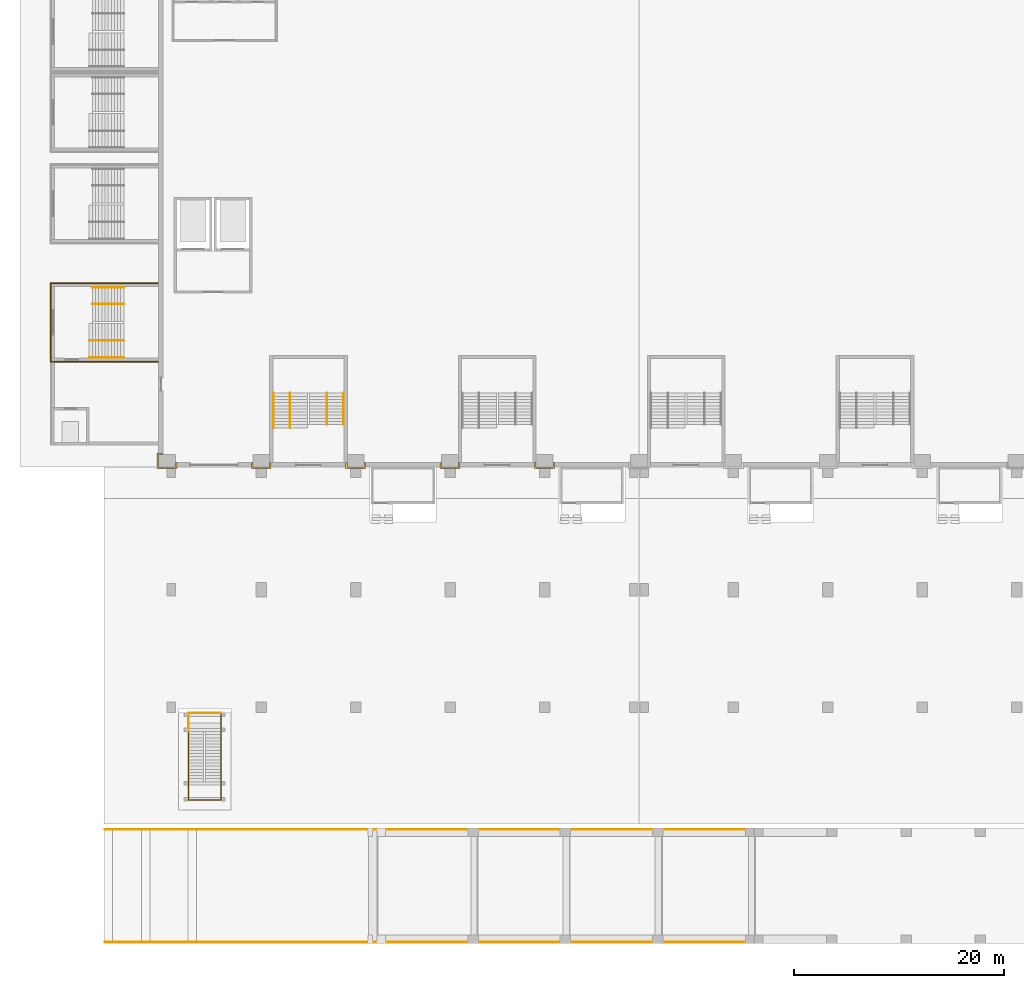
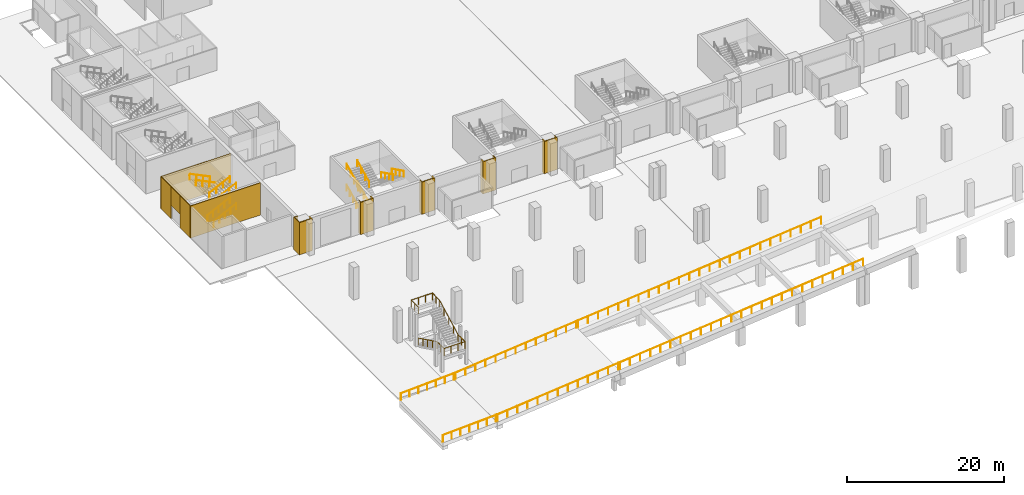
# One storey, part 64 of 77: 20 railings, 10 coverings.
"""IFC4 building model written with IfcOpenShell, lengths in metres."""

from ifc_helpers import new_model, si_unit, direction, frame, origin, origin_2d, place, context, subcontext, project, spatial, polyline, circle, outline, extrude, material, layer, layer_set, type_object, element, save


model = new_model("IFC4")

# Units and contexts
model_context = context("Model", 3, precision=1e-05, world=origin(), true_north=direction((0.0, 1.0)))
body_context = subcontext(model_context, "Body", "Model", "MODEL_VIEW")
ifc_project = project(units=[si_unit("LENGTHUNIT", "METRE"), si_unit("AREAUNIT", "SQUARE_METRE"), si_unit("VOLUMEUNIT", "CUBIC_METRE"), si_unit("PLANEANGLEUNIT", "RADIAN"), si_unit("MASSUNIT", "GRAM", prefix="KILO")], contexts=[model_context])

# Site, building, storey
site_placement = place(None, origin())
site = spatial("IfcSite", under=ifc_project, at=site_placement, CompositionType="ELEMENT")
building_placement = place(site_placement, origin())
building = spatial("IfcBuilding", under=site, at=building_placement, Name="Aravalli Gate Trade Fair Centre", CompositionType="ELEMENT")
storey_placement = place(building_placement, origin())
storey = spatial("IfcBuildingStorey", under=building, at=storey_placement, Name="L00", CompositionType="ELEMENT", Elevation=0.0)

# Railings
ifc_material_1 = material(Name="Steel E350", Category="steel")
railing_type_1 = type_object("IfcRailingType", Name="Edge guard 1100", PredefinedType="GUARDRAIL", material=ifc_material_1)
for number, where, name in (
    (1, (0.10009765625, 0.14990234375, 0.0048828125), "Ramp guard RA1-F1 S"),
    (2, (0.10009765625, 10.85009765625, 0.0048828125), "Ramp guard RA1-F1 N"),
):
    element("IfcRailing", number, at=place(storey_placement, frame(where)), inside=storey, type_object=railing_type_1, Name=name, PredefinedType="GUARDRAIL", context=body_context, shape_type="SweptSolid", body=[
        extrude(circle(Radius=0.02392578125, at=origin_2d()), frame((0.0, 0.0, 1.076171875), z_axis=(0.998751244396, 0.0, 0.049959501775), x_axis=(0.0, 1.0, 0.0)), (0.0, 0.0, 1.0), 7.78955078125),
        extrude(circle(Radius=0.02099609375, at=origin_2d()), origin(), (0.0, 0.0, 1.0), 1.052001953125),
        extrude(circle(Radius=0.02099609375, at=origin_2d()), frame((1.296630859375, 0.0, 0.06494140625)), (0.0, 0.0, 1.0), 1.052001953125),
        extrude(circle(Radius=0.02099609375, at=origin_2d()), frame((2.59326171875, 0.0, 0.129638671875)), (0.0, 0.0, 1.0), 1.052001953125),
        extrude(circle(Radius=0.02099609375, at=origin_2d()), frame((3.889892578125, 0.0, 0.194580078125)), (0.0, 0.0, 1.0), 1.052001953125),
        extrude(circle(Radius=0.02099609375, at=origin_2d()), frame((5.1865234375, 0.0, 0.259521484375)), (0.0, 0.0, 1.0), 1.052001953125),
        extrude(circle(Radius=0.02099609375, at=origin_2d()), frame((6.483154296875, 0.0, 0.32421875)), (0.0, 0.0, 1.0), 1.052001953125),
        extrude(circle(Radius=0.02099609375, at=origin_2d()), frame((7.77978515625, 0.0, 0.38916015625)), (0.0, 0.0, 1.0), 1.052001953125),
    ])
railing_1_placement = place(storey_placement, frame((8.1201171875, 0.14990234375, 0.412109375)))
element("IfcRailing", 3, at=railing_1_placement, inside=storey, type_object=railing_type_1, Name="Ramp guard RA1-F2.1 S", PredefinedType="GUARDRAIL", context=body_context, shape_type="SweptSolid", body=[
    extrude(circle(Radius=0.02392578125, at=origin_2d()), frame((0.0, 0.0, 1.076171875), z_axis=(0.995037731923, 0.0, 0.099498301743), x_axis=(0.0, 1.0, 0.0)), (0.0, 0.0, 1.0), 17.848388671875),
    extrude(circle(Radius=0.02099609375, at=origin_2d()), origin(), (0.0, 0.0, 1.0), 1.052001953125),
    extrude(circle(Radius=0.02099609375, at=origin_2d()), frame((1.47998046875, 0.0, 0.14794921875)), (0.0, 0.0, 1.0), 1.052001953125),
    extrude(circle(Radius=0.02099609375, at=origin_2d()), frame((2.9599609375, 0.0, 0.2958984375)), (0.0, 0.0, 1.0), 1.052001953125),
    extrude(circle(Radius=0.02099609375, at=origin_2d()), frame((4.43994140625, 0.0, 0.44384765625)), (0.0, 0.0, 1.0), 1.052001953125),
    extrude(circle(Radius=0.02099609375, at=origin_2d()), frame((5.919921875, 0.0, 0.592041015625)), (0.0, 0.0, 1.0), 1.052001953125),
    extrude(circle(Radius=0.02099609375, at=origin_2d()), frame((7.39990234375, 0.0, 0.739990234375)), (0.0, 0.0, 1.0), 1.052001953125),
    extrude(circle(Radius=0.02099609375, at=origin_2d()), frame((8.8798828125, 0.0, 0.887939453125)), (0.0, 0.0, 1.0), 1.052001953125),
    extrude(circle(Radius=0.02099609375, at=origin_2d()), frame((10.35986328125, 0.0, 1.035888671875)), (0.0, 0.0, 1.0), 1.052001953125),
    extrude(circle(Radius=0.02099609375, at=origin_2d()), frame((11.83984375, 0.0, 1.183837890625)), (0.0, 0.0, 1.0), 1.052001953125),
    extrude(circle(Radius=0.02099609375, at=origin_2d()), frame((13.31982421875, 0.0, 1.33203125)), (0.0, 0.0, 1.0), 1.052001953125),
    extrude(circle(Radius=0.02099609375, at=origin_2d()), frame((14.7998046875, 0.0, 1.47998046875)), (0.0, 0.0, 1.0), 1.052001953125),
    extrude(circle(Radius=0.02099609375, at=origin_2d()), frame((16.27978515625, 0.0, 1.6279296875)), (0.0, 0.0, 1.0), 1.052001953125),
    extrude(circle(Radius=0.02099609375, at=origin_2d()), frame((17.759765625, 0.0, 1.77587890625)), (0.0, 0.0, 1.0), 1.052001953125),
])
railing_2_placement = place(storey_placement, frame((8.1201171875, 10.85009765625, 0.412109375)))
element("IfcRailing", 4, at=railing_2_placement, inside=storey, type_object=railing_type_1, Name="Ramp guard RA1-F2.1 N", PredefinedType="GUARDRAIL", context=body_context, shape_type="SweptSolid", body=[
    extrude(circle(Radius=0.02392578125, at=origin_2d()), frame((0.0, 0.0, 1.076171875), z_axis=(0.995037731923, 0.0, 0.099498301743), x_axis=(0.0, 1.0, 0.0)), (0.0, 0.0, 1.0), 17.848388671875),
    extrude(circle(Radius=0.02099609375, at=origin_2d()), origin(), (0.0, 0.0, 1.0), 1.052001953125),
    extrude(circle(Radius=0.02099609375, at=origin_2d()), frame((1.47998046875, 0.0, 0.14794921875)), (0.0, 0.0, 1.0), 1.052001953125),
    extrude(circle(Radius=0.02099609375, at=origin_2d()), frame((2.9599609375, 0.0, 0.2958984375)), (0.0, 0.0, 1.0), 1.052001953125),
    extrude(circle(Radius=0.02099609375, at=origin_2d()), frame((4.43994140625, 0.0, 0.44384765625)), (0.0, 0.0, 1.0), 1.052001953125),
    extrude(circle(Radius=0.02099609375, at=origin_2d()), frame((5.919921875, 0.0, 0.592041015625)), (0.0, 0.0, 1.0), 1.052001953125),
    extrude(circle(Radius=0.02099609375, at=origin_2d()), frame((7.39990234375, 0.0, 0.739990234375)), (0.0, 0.0, 1.0), 1.052001953125),
    extrude(circle(Radius=0.02099609375, at=origin_2d()), frame((8.8798828125, 0.0, 0.887939453125)), (0.0, 0.0, 1.0), 1.052001953125),
    extrude(circle(Radius=0.02099609375, at=origin_2d()), frame((10.35986328125, 0.0, 1.035888671875)), (0.0, 0.0, 1.0), 1.052001953125),
    extrude(circle(Radius=0.02099609375, at=origin_2d()), frame((11.83984375, 0.0, 1.183837890625)), (0.0, 0.0, 1.0), 1.052001953125),
    extrude(circle(Radius=0.02099609375, at=origin_2d()), frame((13.31982421875, 0.0, 1.33203125)), (0.0, 0.0, 1.0), 1.052001953125),
    extrude(circle(Radius=0.02099609375, at=origin_2d()), frame((14.7998046875, 0.0, 1.47998046875)), (0.0, 0.0, 1.0), 1.052001953125),
    extrude(circle(Radius=0.02099609375, at=origin_2d()), frame((16.27978515625, 0.0, 1.6279296875)), (0.0, 0.0, 1.0), 1.052001953125),
    extrude(circle(Radius=0.02099609375, at=origin_2d()), frame((17.759765625, 0.0, 1.77587890625)), (0.0, 0.0, 1.0), 1.052001953125),
])
railing_3_placement = place(storey_placement, frame((26.1201171875, 0.14990234375, 2.2119140625)))
element("IfcRailing", 5, at=railing_3_placement, inside=storey, type_object=railing_type_1, Name="Ramp guard RA1-F2.2 S", PredefinedType="GUARDRAIL", context=body_context, shape_type="SweptSolid", body=[
    extrude(circle(Radius=0.02392578125, at=origin_2d()), frame((0.0, 0.0, 1.076171875), z_axis=(0.995036652108, 0.0, 0.099509099897), x_axis=(0.0, 1.0, 0.0)), (0.0, 0.0, 1.0), 35.938232421875),
    extrude(circle(Radius=0.02099609375, at=origin_2d()), origin(), (0.0, 0.0, 1.0), 1.052001953125),
    extrude(circle(Radius=0.02099609375, at=origin_2d()), frame((1.489990234375, 0.0, 0.14892578125)), (0.0, 0.0, 1.0), 1.052001953125),
    extrude(circle(Radius=0.02099609375, at=origin_2d()), frame((2.97998046875, 0.0, 0.298095703125)), (0.0, 0.0, 1.0), 1.052001953125),
    extrude(circle(Radius=0.02099609375, at=origin_2d()), frame((4.469970703125, 0.0, 0.447021484375)), (0.0, 0.0, 1.0), 1.052001953125),
    extrude(circle(Radius=0.02099609375, at=origin_2d()), frame((5.9599609375, 0.0, 0.595947265625)), (0.0, 0.0, 1.0), 1.052001953125),
    extrude(circle(Radius=0.02099609375, at=origin_2d()), frame((7.449951171875, 0.0, 0.7451171875)), (0.0, 0.0, 1.0), 1.052001953125),
    extrude(circle(Radius=0.02099609375, at=origin_2d()), frame((8.93994140625, 0.0, 0.89404296875)), (0.0, 0.0, 1.0), 1.052001953125),
    extrude(circle(Radius=0.02099609375, at=origin_2d()), frame((10.429931640625, 0.0, 1.04296875)), (0.0, 0.0, 1.0), 1.052001953125),
    extrude(circle(Radius=0.02099609375, at=origin_2d()), frame((11.919921875, 0.0, 1.192138671875)), (0.0, 0.0, 1.0), 1.052001953125),
    extrude(circle(Radius=0.02099609375, at=origin_2d()), frame((13.409912109375, 0.0, 1.341064453125)), (0.0, 0.0, 1.0), 1.052001953125),
    extrude(circle(Radius=0.02099609375, at=origin_2d()), frame((14.89990234375, 0.0, 1.489990234375)), (0.0, 0.0, 1.0), 1.052001953125),
    extrude(circle(Radius=0.02099609375, at=origin_2d()), frame((16.389892578125, 0.0, 1.63916015625)), (0.0, 0.0, 1.0), 1.052001953125),
    extrude(circle(Radius=0.02099609375, at=origin_2d()), frame((17.8798828125, 0.0, 1.7880859375)), (0.0, 0.0, 1.0), 1.052001953125),
    extrude(circle(Radius=0.02099609375, at=origin_2d()), frame((19.369873046875, 0.0, 1.93701171875)), (0.0, 0.0, 1.0), 1.052001953125),
    extrude(circle(Radius=0.02099609375, at=origin_2d()), frame((20.85986328125, 0.0, 2.086181640625)), (0.0, 0.0, 1.0), 1.052001953125),
    extrude(circle(Radius=0.02099609375, at=origin_2d()), frame((22.349853515625, 0.0, 2.235107421875)), (0.0, 0.0, 1.0), 1.052001953125),
    extrude(circle(Radius=0.02099609375, at=origin_2d()), frame((23.83984375, 0.0, 2.384033203125)), (0.0, 0.0, 1.0), 1.052001953125),
    extrude(circle(Radius=0.02099609375, at=origin_2d()), frame((25.329833984375, 0.0, 2.533203125)), (0.0, 0.0, 1.0), 1.052001953125),
    extrude(circle(Radius=0.02099609375, at=origin_2d()), frame((26.81982421875, 0.0, 2.68212890625)), (0.0, 0.0, 1.0), 1.052001953125),
    extrude(circle(Radius=0.02099609375, at=origin_2d()), frame((28.309814453125, 0.0, 2.8310546875)), (0.0, 0.0, 1.0), 1.052001953125),
    extrude(circle(Radius=0.02099609375, at=origin_2d()), frame((29.7998046875, 0.0, 2.980224609375)), (0.0, 0.0, 1.0), 1.052001953125),
    extrude(circle(Radius=0.02099609375, at=origin_2d()), frame((31.289794921875, 0.0, 3.129150390625)), (0.0, 0.0, 1.0), 1.052001953125),
    extrude(circle(Radius=0.02099609375, at=origin_2d()), frame((32.77978515625, 0.0, 3.278076171875)), (0.0, 0.0, 1.0), 1.052001953125),
    extrude(circle(Radius=0.02099609375, at=origin_2d()), frame((34.269775390625, 0.0, 3.42724609375)), (0.0, 0.0, 1.0), 1.052001953125),
    extrude(circle(Radius=0.02099609375, at=origin_2d()), frame((35.759765625, 0.0, 3.576171875)), (0.0, 0.0, 1.0), 1.052001953125),
])
railing_4_placement = place(storey_placement, frame((26.1201171875, 10.85009765625, 2.2119140625)))
element("IfcRailing", 6, at=railing_4_placement, inside=storey, type_object=railing_type_1, Name="Ramp guard RA1-F2.2 N", PredefinedType="GUARDRAIL", context=body_context, shape_type="SweptSolid", body=[
    extrude(circle(Radius=0.02392578125, at=origin_2d()), frame((0.0, 0.0, 1.076171875), z_axis=(0.995036652108, 0.0, 0.099509099897), x_axis=(0.0, 1.0, 0.0)), (0.0, 0.0, 1.0), 35.938232421875),
    extrude(circle(Radius=0.02099609375, at=origin_2d()), origin(), (0.0, 0.0, 1.0), 1.052001953125),
    extrude(circle(Radius=0.02099609375, at=origin_2d()), frame((1.489990234375, 0.0, 0.14892578125)), (0.0, 0.0, 1.0), 1.052001953125),
    extrude(circle(Radius=0.02099609375, at=origin_2d()), frame((2.97998046875, 0.0, 0.298095703125)), (0.0, 0.0, 1.0), 1.052001953125),
    extrude(circle(Radius=0.02099609375, at=origin_2d()), frame((4.469970703125, 0.0, 0.447021484375)), (0.0, 0.0, 1.0), 1.052001953125),
    extrude(circle(Radius=0.02099609375, at=origin_2d()), frame((5.9599609375, 0.0, 0.595947265625)), (0.0, 0.0, 1.0), 1.052001953125),
    extrude(circle(Radius=0.02099609375, at=origin_2d()), frame((7.449951171875, 0.0, 0.7451171875)), (0.0, 0.0, 1.0), 1.052001953125),
    extrude(circle(Radius=0.02099609375, at=origin_2d()), frame((8.93994140625, 0.0, 0.89404296875)), (0.0, 0.0, 1.0), 1.052001953125),
    extrude(circle(Radius=0.02099609375, at=origin_2d()), frame((10.429931640625, 0.0, 1.04296875)), (0.0, 0.0, 1.0), 1.052001953125),
    extrude(circle(Radius=0.02099609375, at=origin_2d()), frame((11.919921875, 0.0, 1.192138671875)), (0.0, 0.0, 1.0), 1.052001953125),
    extrude(circle(Radius=0.02099609375, at=origin_2d()), frame((13.409912109375, 0.0, 1.341064453125)), (0.0, 0.0, 1.0), 1.052001953125),
    extrude(circle(Radius=0.02099609375, at=origin_2d()), frame((14.89990234375, 0.0, 1.489990234375)), (0.0, 0.0, 1.0), 1.052001953125),
    extrude(circle(Radius=0.02099609375, at=origin_2d()), frame((16.389892578125, 0.0, 1.63916015625)), (0.0, 0.0, 1.0), 1.052001953125),
    extrude(circle(Radius=0.02099609375, at=origin_2d()), frame((17.8798828125, 0.0, 1.7880859375)), (0.0, 0.0, 1.0), 1.052001953125),
    extrude(circle(Radius=0.02099609375, at=origin_2d()), frame((19.369873046875, 0.0, 1.93701171875)), (0.0, 0.0, 1.0), 1.052001953125),
    extrude(circle(Radius=0.02099609375, at=origin_2d()), frame((20.85986328125, 0.0, 2.086181640625)), (0.0, 0.0, 1.0), 1.052001953125),
    extrude(circle(Radius=0.02099609375, at=origin_2d()), frame((22.349853515625, 0.0, 2.235107421875)), (0.0, 0.0, 1.0), 1.052001953125),
    extrude(circle(Radius=0.02099609375, at=origin_2d()), frame((23.83984375, 0.0, 2.384033203125)), (0.0, 0.0, 1.0), 1.052001953125),
    extrude(circle(Radius=0.02099609375, at=origin_2d()), frame((25.329833984375, 0.0, 2.533203125)), (0.0, 0.0, 1.0), 1.052001953125),
    extrude(circle(Radius=0.02099609375, at=origin_2d()), frame((26.81982421875, 0.0, 2.68212890625)), (0.0, 0.0, 1.0), 1.052001953125),
    extrude(circle(Radius=0.02099609375, at=origin_2d()), frame((28.309814453125, 0.0, 2.8310546875)), (0.0, 0.0, 1.0), 1.052001953125),
    extrude(circle(Radius=0.02099609375, at=origin_2d()), frame((29.7998046875, 0.0, 2.980224609375)), (0.0, 0.0, 1.0), 1.052001953125),
    extrude(circle(Radius=0.02099609375, at=origin_2d()), frame((31.289794921875, 0.0, 3.129150390625)), (0.0, 0.0, 1.0), 1.052001953125),
    extrude(circle(Radius=0.02099609375, at=origin_2d()), frame((32.77978515625, 0.0, 3.278076171875)), (0.0, 0.0, 1.0), 1.052001953125),
    extrude(circle(Radius=0.02099609375, at=origin_2d()), frame((34.269775390625, 0.0, 3.42724609375)), (0.0, 0.0, 1.0), 1.052001953125),
    extrude(circle(Radius=0.02099609375, at=origin_2d()), frame((35.759765625, 0.0, 3.576171875)), (0.0, 0.0, 1.0), 1.052001953125),
])
railing_5_placement = place(storey_placement, frame((8.050048828125, 20.199951171875, 0.147216796875)))
element("IfcRailing", 7, at=railing_5_placement, inside=storey, type_object=railing_type_1, Name="Stair guard 1 L00 A", PredefinedType="GUARDRAIL", context=body_context, shape_type="SweptSolid", body=[
    extrude(circle(Radius=0.02392578125, at=origin_2d()), frame((0.0, 0.0, 1.076171875), z_axis=(0.0, -0.89793417156, 0.440129780343), x_axis=(1.0, 0.0, 0.0)), (0.0, 0.0, 1.0), 5.345703125),
    extrude(circle(Radius=0.02392578125, at=origin_2d()), frame((0.0, -4.800048828125, 3.4287109375), z_axis=(0.0, -1.0, 0.0), x_axis=(1.0, 0.0, 0.0)), (0.0, 0.0, 1.0), 1.75),
    extrude(circle(Radius=0.02392578125, at=origin_2d()), frame((0.0, -6.550048828125, 3.4287109375), z_axis=(1.0, 0.0, 0.0), x_axis=(0.0, 1.0, 0.0)), (0.0, 0.0, 1.0), 3.099853515625),
    extrude(circle(Radius=0.02392578125, at=origin_2d()), frame((3.099853515625, -6.550048828125, 3.4287109375), z_axis=(0.0, 1.0, 0.0), x_axis=(-1.0, 0.0, 0.0)), (0.0, 0.0, 1.0), 1.75),
    extrude(circle(Radius=0.02392578125, at=origin_2d()), frame((3.099853515625, -4.800048828125, 3.4287109375), z_axis=(0.0, 0.886916009322, 0.46193072252), x_axis=(-1.0, 0.0, 0.0)), (0.0, 0.0, 1.0), 5.412109375),
    extrude(circle(Radius=0.02392578125, at=origin_2d()), frame((3.099853515625, 0.0, 5.9287109375), z_axis=(0.0, 1.0, 0.0), x_axis=(-1.0, 0.0, 0.0)), (0.0, 0.0, 1.0), 1.75),
    extrude(circle(Radius=0.02099609375, at=origin_2d()), origin(), (0.0, 0.0, 1.0), 1.052001953125),
    extrude(circle(Radius=0.02099609375, at=origin_2d()), frame((0.0, -1.199951171875, 0.588134765625)), (0.0, 0.0, 1.0), 1.052001953125),
    extrude(circle(Radius=0.02099609375, at=origin_2d()), frame((0.0, -2.39990234375, 1.17626953125)), (0.0, 0.0, 1.0), 1.052001953125),
    extrude(circle(Radius=0.02099609375, at=origin_2d()), frame((0.0, -3.60009765625, 1.7646484375)), (0.0, 0.0, 1.0), 1.052001953125),
    extrude(circle(Radius=0.02099609375, at=origin_2d()), frame((0.0, -4.800048828125, 2.352783203125)), (0.0, 0.0, 1.0), 1.052001953125),
    extrude(circle(Radius=0.02099609375, at=origin_2d()), frame((0.0, -5.675048828125, 2.352783203125)), (0.0, 0.0, 1.0), 1.052001953125),
    extrude(circle(Radius=0.02099609375, at=origin_2d()), frame((0.0, -6.550048828125, 2.352783203125)), (0.0, 0.0, 1.0), 1.052001953125),
    extrude(circle(Radius=0.02099609375, at=origin_2d()), frame((1.033203125, -6.550048828125, 2.352783203125)), (0.0, 0.0, 1.0), 1.052001953125),
    extrude(circle(Radius=0.02099609375, at=origin_2d()), frame((2.066650390625, -6.550048828125, 2.352783203125)), (0.0, 0.0, 1.0), 1.052001953125),
    extrude(circle(Radius=0.02099609375, at=origin_2d()), frame((3.099853515625, -6.550048828125, 2.352783203125)), (0.0, 0.0, 1.0), 1.052001953125),
    extrude(circle(Radius=0.02099609375, at=origin_2d()), frame((3.099853515625, -5.675048828125, 2.352783203125)), (0.0, 0.0, 1.0), 1.052001953125),
    extrude(circle(Radius=0.02099609375, at=origin_2d()), frame((3.099853515625, -4.800048828125, 2.352783203125)), (0.0, 0.0, 1.0), 1.052001953125),
    extrude(circle(Radius=0.02099609375, at=origin_2d()), frame((3.099853515625, -3.60009765625, 2.977783203125)), (0.0, 0.0, 1.0), 1.052001953125),
    extrude(circle(Radius=0.02099609375, at=origin_2d()), frame((3.099853515625, -2.39990234375, 3.602783203125)), (0.0, 0.0, 1.0), 1.052001953125),
    extrude(circle(Radius=0.02099609375, at=origin_2d()), frame((3.099853515625, -1.199951171875, 4.227783203125)), (0.0, 0.0, 1.0), 1.052001953125),
    extrude(circle(Radius=0.02099609375, at=origin_2d()), frame((3.099853515625, 0.0, 4.852783203125)), (0.0, 0.0, 1.0), 1.052001953125),
    extrude(circle(Radius=0.02099609375, at=origin_2d()), frame((3.099853515625, 0.875, 4.852783203125)), (0.0, 0.0, 1.0), 1.052001953125),
    extrude(circle(Radius=0.02099609375, at=origin_2d()), frame((3.099853515625, 1.75, 4.852783203125)), (0.0, 0.0, 1.0), 1.052001953125),
])
railing_6_placement = place(storey_placement, frame((8.050048828125, 20.199951171875, 5.0)))
element("IfcRailing", 8, at=railing_6_placement, inside=storey, type_object=railing_type_1, Name="Stair guard 1 L00 B", PredefinedType="GUARDRAIL", context=body_context, shape_type="SweptSolid", body=[
    extrude(circle(Radius=0.02392578125, at=origin_2d()), frame((0.0, 0.0, 1.076171875), z_axis=(0.0, 1.0, 0.0), x_axis=(-1.0, 0.0, 0.0)), (0.0, 0.0, 1.0), 1.75),
    extrude(circle(Radius=0.02392578125, at=origin_2d()), frame((0.0, 1.75, 1.076171875), z_axis=(1.0, 0.0, 0.0), x_axis=(0.0, 1.0, 0.0)), (0.0, 0.0, 1.0), 3.099853515625),
    extrude(circle(Radius=0.02099609375, at=origin_2d()), origin(), (0.0, 0.0, 1.0), 1.052001953125),
    extrude(circle(Radius=0.02099609375, at=origin_2d()), frame((0.0, 0.875, 0.0)), (0.0, 0.0, 1.0), 1.052001953125),
    extrude(circle(Radius=0.02099609375, at=origin_2d()), frame((0.0, 1.75, 0.0)), (0.0, 0.0, 1.0), 1.052001953125),
    extrude(circle(Radius=0.02099609375, at=origin_2d()), frame((1.033203125, 1.75, 0.0)), (0.0, 0.0, 1.0), 1.052001953125),
    extrude(circle(Radius=0.02099609375, at=origin_2d()), frame((2.066650390625, 1.75, 0.0)), (0.0, 0.0, 1.0), 1.052001953125),
    extrude(circle(Radius=0.02099609375, at=origin_2d()), frame((3.099853515625, 1.75, 0.0)), (0.0, 0.0, 1.0), 1.052001953125),
])

# Coverings
ifc_material_2 = material(Name="Terracotta", Category="masonry")
ifc_layer_1 = layer(ifc_material_2, 0.10009765625)
ifc_layer_set_1 = layer_set([ifc_layer_1], Name="Terracotta")
covering_type_1 = type_object("IfcCoveringType", Name="End tower cladding 100", PredefinedType="CLADDING", material=ifc_layer_set_1)
covering_1_placement = place(storey_placement, origin())
element("IfcCovering", 9, at=covering_1_placement, inside=storey, type_object=covering_type_1, Name="End tower W1 cladding L00 side A", PredefinedType="CLADDING", context=body_context, shape_type="SweptSolid", body=[
    extrude(outline(polyline([(5.199951171875, 55.39990234375), (-5.10009765625, 55.39990234375), (-5.10009765625, 55.5), (5.199951171875, 55.5), (5.199951171875, 55.39990234375)])), origin(), (0.0, 0.0, 1.0), 5.0),
])
covering_2_placement = place(storey_placement, origin())
element("IfcCovering", 10, at=covering_2_placement, inside=storey, type_object=covering_type_1, Name="End tower W1 cladding L00 side B", PredefinedType="CLADDING", context=body_context, shape_type="SweptSolid", body=[
    extrude(outline(polyline([(5.199951171875, 62.89990234375), (-5.10009765625, 62.89990234375), (-5.10009765625, 63.0), (5.199951171875, 63.0), (5.199951171875, 62.89990234375)])), origin(), (0.0, 0.0, 1.0), 5.0),
])
covering_3_placement = place(storey_placement, origin())
element("IfcCovering", 11, at=covering_3_placement, inside=storey, type_object=covering_type_1, Name="End tower W1 cladding L00 far left", PredefinedType="CLADDING", context=body_context, shape_type="SweptSolid", body=[
    extrude(outline(polyline([(-5.0, 55.5), (-5.10009765625, 55.5), (-5.10009765625, 58.02490234375), (-5.0, 58.02490234375), (-5.0, 55.5)])), origin(), (0.0, 0.0, 1.0), 5.0),
])
covering_4_placement = place(storey_placement, origin())
element("IfcCovering", 12, at=covering_4_placement, inside=storey, type_object=covering_type_1, Name="End tower W1 cladding L00 far right", PredefinedType="CLADDING", context=body_context, shape_type="SweptSolid", body=[
    extrude(outline(polyline([(-5.0, 60.375), (-5.10009765625, 60.375), (-5.10009765625, 62.89990234375), (-5.0, 62.89990234375), (-5.0, 60.375)])), origin(), (0.0, 0.0, 1.0), 5.0),
])
covering_5_placement = place(storey_placement, frame((0.0, 0.0, 2.10009765625)))
element("IfcCovering", 13, at=covering_5_placement, inside=storey, type_object=covering_type_1, Name="End tower W1 cladding L00 above the door", PredefinedType="CLADDING", context=body_context, shape_type="SweptSolid", body=[
    extrude(outline(polyline([(-5.0, 58.02490234375), (-5.10009765625, 58.02490234375), (-5.10009765625, 60.375), (-5.0, 60.375), (-5.0, 58.02490234375)])), origin(), (0.0, 0.0, 1.0), 2.89990234375),
])

# Railings
railing_type_2 = type_object("IfcRailingType", Name="Stair handrail 900", PredefinedType="HANDRAIL", material=ifc_material_1)
for number, where, name in (
    (14, (16.169921875, 49.14990234375, 0.147216796875), "Handrail S02 L00 1"),
    (15, (17.75, 49.14990234375, 0.147216796875), "Handrail centre S02 L00 2"),
):
    element("IfcRailing", number, at=place(storey_placement, frame(where)), inside=storey, type_object=railing_type_2, Name=name, PredefinedType="HANDRAIL", context=body_context, shape_type="SweptSolid", body=[
        extrude(circle(Radius=0.02392578125, at=origin_2d()), frame((0.0, 0.0, 0.8759765625), z_axis=(0.0, 0.897946461621, 0.440104705795), x_axis=(-1.0, 0.0, 0.0)), (0.0, 0.0, 1.0), 3.675048828125),
        extrude(circle(Radius=0.02099609375, at=origin_2d()), origin(), (0.0, 0.0, 1.0), 0.851806640625),
        extrude(circle(Radius=0.02099609375, at=origin_2d()), frame((0.0, 0.824951171875, 0.404296875)), (0.0, 0.0, 1.0), 0.851806640625),
        extrude(circle(Radius=0.02099609375, at=origin_2d()), frame((0.0, 1.64990234375, 0.80859375)), (0.0, 0.0, 1.0), 0.851806640625),
        extrude(circle(Radius=0.02099609375, at=origin_2d()), frame((0.0, 2.47509765625, 1.213134765625)), (0.0, 0.0, 1.0), 0.851806640625),
        extrude(circle(Radius=0.02099609375, at=origin_2d()), frame((0.0, 3.300048828125, 1.617431640625)), (0.0, 0.0, 1.0), 0.851806640625),
    ])
for number, where, name in (
    (16, (22.830078125, 52.449951171875, 1.911865234375), "Handrail S02 L00 3"),
    (17, (21.25, 52.449951171875, 1.911865234375), "Handrail centre S02 L00 4"),
):
    element("IfcRailing", number, at=place(storey_placement, frame(where)), inside=storey, type_object=railing_type_2, Name=name, PredefinedType="HANDRAIL", context=body_context, shape_type="SweptSolid", body=[
        extrude(circle(Radius=0.02392578125, at=origin_2d()), frame((0.0, 0.0, 0.8759765625), z_axis=(0.0, -0.897936012048, 0.440126025437), x_axis=(1.0, 0.0, 0.0)), (0.0, 0.0, 1.0), 3.341064453125),
        extrude(circle(Radius=0.02099609375, at=origin_2d()), origin(), (0.0, 0.0, 1.0), 0.851806640625),
        extrude(circle(Radius=0.02099609375, at=origin_2d()), frame((0.0, -1.0, 0.490234375)), (0.0, 0.0, 1.0), 0.851806640625),
        extrude(circle(Radius=0.02099609375, at=origin_2d()), frame((0.0, -2.0, 0.980224609375)), (0.0, 0.0, 1.0), 0.851806640625),
        extrude(circle(Radius=0.02099609375, at=origin_2d()), frame((0.0, -3.0, 1.470458984375)), (0.0, 0.0, 1.0), 0.851806640625),
    ])
for number, where, name in (
    (18, (16.169921875, 49.449951171875, 3.529296875), "Handrail S02 L00 5"),
    (19, (17.75, 49.449951171875, 3.529296875), "Handrail centre S02 L00 6"),
):
    element("IfcRailing", number, at=place(storey_placement, frame(where)), inside=storey, type_object=railing_type_2, Name=name, PredefinedType="HANDRAIL", context=body_context, shape_type="SweptSolid", body=[
        extrude(circle(Radius=0.02392578125, at=origin_2d()), frame((0.0, 0.0, 0.8759765625), z_axis=(0.0, 0.897907131747, 0.44018494154), x_axis=(-1.0, 0.0, 0.0)), (0.0, 0.0, 1.0), 3.341064453125),
        extrude(circle(Radius=0.02099609375, at=origin_2d()), origin(), (0.0, 0.0, 1.0), 0.851806640625),
        extrude(circle(Radius=0.02099609375, at=origin_2d()), frame((0.0, 1.0, 0.490234375)), (0.0, 0.0, 1.0), 0.851806640625),
        extrude(circle(Radius=0.02099609375, at=origin_2d()), frame((0.0, 2.0, 0.98046875)), (0.0, 0.0, 1.0), 0.851806640625),
        extrude(circle(Radius=0.02099609375, at=origin_2d()), frame((0.0, 3.0, 1.470703125)), (0.0, 0.0, 1.0), 0.851806640625),
    ])
for number, where, name in (
    (20, (-1.39990234375, 55.8701171875, 0.147216796875), "Handrail W1 L00 1"),
    (21, (-1.39990234375, 57.449951171875, 0.147216796875), "Handrail centre W1 L00 2"),
):
    element("IfcRailing", number, at=place(storey_placement, frame(where)), inside=storey, type_object=railing_type_2, Name=name, PredefinedType="HANDRAIL", context=body_context, shape_type="SweptSolid", body=[
        extrude(circle(Radius=0.02392578125, at=origin_2d()), frame((0.0, 0.0, 0.8759765625), z_axis=(0.897933593325, 0.0, 0.440130960031), x_axis=(0.0, 1.0, 0.0)), (0.0, 0.0, 1.0), 3.6748046875),
        extrude(circle(Radius=0.02099609375, at=origin_2d()), origin(), (0.0, 0.0, 1.0), 0.851806640625),
        extrude(circle(Radius=0.02099609375, at=origin_2d()), frame((0.824951171875, 0.0, 0.404296875)), (0.0, 0.0, 1.0), 0.851806640625),
        extrude(circle(Radius=0.02099609375, at=origin_2d()), frame((1.64990234375, 0.0, 0.80859375)), (0.0, 0.0, 1.0), 0.851806640625),
        extrude(circle(Radius=0.02099609375, at=origin_2d()), frame((2.474853515625, 0.0, 1.213134765625)), (0.0, 0.0, 1.0), 0.851806640625),
        extrude(circle(Radius=0.02099609375, at=origin_2d()), frame((3.2998046875, 0.0, 1.617431640625)), (0.0, 0.0, 1.0), 0.851806640625),
    ])
for number, where, name in (
    (22, (1.89990234375, 62.530029296875, 1.911865234375), "Handrail W1 L00 3"),
    (23, (1.89990234375, 60.949951171875, 1.911865234375), "Handrail centre W1 L00 4"),
):
    element("IfcRailing", number, at=place(storey_placement, frame(where)), inside=storey, type_object=railing_type_2, Name=name, PredefinedType="HANDRAIL", context=body_context, shape_type="SweptSolid", body=[
        extrude(circle(Radius=0.02392578125, at=origin_2d()), frame((0.0, 0.0, 0.8759765625), z_axis=(-0.897936012048, 0.0, 0.440126025437), x_axis=(0.0, -1.0, 0.0)), (0.0, 0.0, 1.0), 3.341064453125),
        extrude(circle(Radius=0.02099609375, at=origin_2d()), origin(), (0.0, 0.0, 1.0), 0.851806640625),
        extrude(circle(Radius=0.02099609375, at=origin_2d()), frame((-1.0, 0.0, 0.490234375)), (0.0, 0.0, 1.0), 0.851806640625),
        extrude(circle(Radius=0.02099609375, at=origin_2d()), frame((-2.0, 0.0, 0.980224609375)), (0.0, 0.0, 1.0), 0.851806640625),
        extrude(circle(Radius=0.02099609375, at=origin_2d()), frame((-3.0, 0.0, 1.470458984375)), (0.0, 0.0, 1.0), 0.851806640625),
    ])
for number, where, name in (
    (24, (-1.10009765625, 55.8701171875, 3.529296875), "Handrail W1 L00 5"),
    (25, (-1.10009765625, 57.449951171875, 3.529296875), "Handrail centre W1 L00 6"),
):
    element("IfcRailing", number, at=place(storey_placement, frame(where)), inside=storey, type_object=railing_type_2, Name=name, PredefinedType="HANDRAIL", context=body_context, shape_type="SweptSolid", body=[
        extrude(circle(Radius=0.02392578125, at=origin_2d()), frame((0.0, 0.0, 0.8759765625), z_axis=(0.897907131747, 0.0, 0.44018494154), x_axis=(0.0, 1.0, 0.0)), (0.0, 0.0, 1.0), 3.341064453125),
        extrude(circle(Radius=0.02099609375, at=origin_2d()), origin(), (0.0, 0.0, 1.0), 0.851806640625),
        extrude(circle(Radius=0.02099609375, at=origin_2d()), frame((1.0, 0.0, 0.490234375)), (0.0, 0.0, 1.0), 0.851806640625),
        extrude(circle(Radius=0.02099609375, at=origin_2d()), frame((2.0, 0.0, 0.98046875)), (0.0, 0.0, 1.0), 0.851806640625),
        extrude(circle(Radius=0.02099609375, at=origin_2d()), frame((3.0, 0.0, 1.470703125)), (0.0, 0.0, 1.0), 0.851806640625),
    ])

# Coverings
ifc_material_3 = material(Name="Dholpur sandstone", Category="masonry")
ifc_layer_2 = layer(ifc_material_3, 0.14990234375)
ifc_layer_set_2 = layer_set([ifc_layer_2], Name="Dholpur sandstone")
covering_type_2 = type_object("IfcCoveringType", Name="Stone pier base", PredefinedType="CLADDING", material=ifc_layer_set_2)
covering_6_placement = place(storey_placement, origin())
element("IfcCovering", 26, at=covering_6_placement, inside=storey, type_object=covering_type_2, Name="Clad pier A1 L00", PredefinedType="CLADDING", context=body_context, shape_type="SweptSolid", body=[
    extrude(outline(polyline([(5.050048828125, 46.75), (5.64990234375, 46.75), (5.64990234375, 46.60009765625), (5.199951171875, 46.60009765625), (5.199951171875, 45.39990234375), (6.800048828125, 45.39990234375), (6.800048828125, 45.85009765625), (6.949951171875, 45.85009765625), (6.949951171875, 45.25), (5.050048828125, 45.25), (5.050048828125, 46.75)])), origin(), (0.0, 0.0, 1.0), 5.0),
])
covering_7_placement = place(storey_placement, origin())
element("IfcCovering", 27, at=covering_7_placement, inside=storey, type_object=covering_type_2, Name="Clad pier A2 L00", PredefinedType="CLADDING", context=body_context, shape_type="SweptSolid", body=[
    extrude(outline(polyline([(14.050048828125, 45.85009765625), (14.199951171875, 45.85009765625), (14.199951171875, 45.39990234375), (15.800048828125, 45.39990234375), (15.800048828125, 45.85009765625), (15.949951171875, 45.85009765625), (15.949951171875, 45.25), (14.050048828125, 45.25), (14.050048828125, 45.85009765625)])), origin(), (0.0, 0.0, 1.0), 5.0),
])
covering_8_placement = place(storey_placement, origin())
element("IfcCovering", 28, at=covering_8_placement, inside=storey, type_object=covering_type_2, Name="Clad pier A3 L00", PredefinedType="CLADDING", context=body_context, shape_type="SweptSolid", body=[
    extrude(outline(polyline([(23.050048828125, 45.85009765625), (23.199951171875, 45.85009765625), (23.199951171875, 45.39990234375), (24.800048828125, 45.39990234375), (24.800048828125, 45.85009765625), (24.949951171875, 45.85009765625), (24.949951171875, 45.25), (23.050048828125, 45.25), (23.050048828125, 45.85009765625)])), origin(), (0.0, 0.0, 1.0), 5.0),
])
covering_9_placement = place(storey_placement, origin())
element("IfcCovering", 29, at=covering_9_placement, inside=storey, type_object=covering_type_2, Name="Clad pier A4 L00", PredefinedType="CLADDING", context=body_context, shape_type="SweptSolid", body=[
    extrude(outline(polyline([(32.050048828125, 45.85009765625), (32.199951171875, 45.85009765625), (32.199951171875, 45.39990234375), (33.800048828125, 45.39990234375), (33.800048828125, 45.85009765625), (33.949951171875, 45.85009765625), (33.949951171875, 45.25), (32.050048828125, 45.25), (32.050048828125, 45.85009765625)])), origin(), (0.0, 0.0, 1.0), 5.0),
])
covering_10_placement = place(storey_placement, origin())
element("IfcCovering", 30, at=covering_10_placement, inside=storey, type_object=covering_type_2, Name="Clad pier A5 L00", PredefinedType="CLADDING", context=body_context, shape_type="SweptSolid", body=[
    extrude(outline(polyline([(41.050048828125, 45.85009765625), (41.199951171875, 45.85009765625), (41.199951171875, 45.39990234375), (42.800048828125, 45.39990234375), (42.800048828125, 45.85009765625), (42.949951171875, 45.85009765625), (42.949951171875, 45.25), (41.050048828125, 45.25), (41.050048828125, 45.85009765625)])), origin(), (0.0, 0.0, 1.0), 5.0),
])

save(model, "model.ifc")
